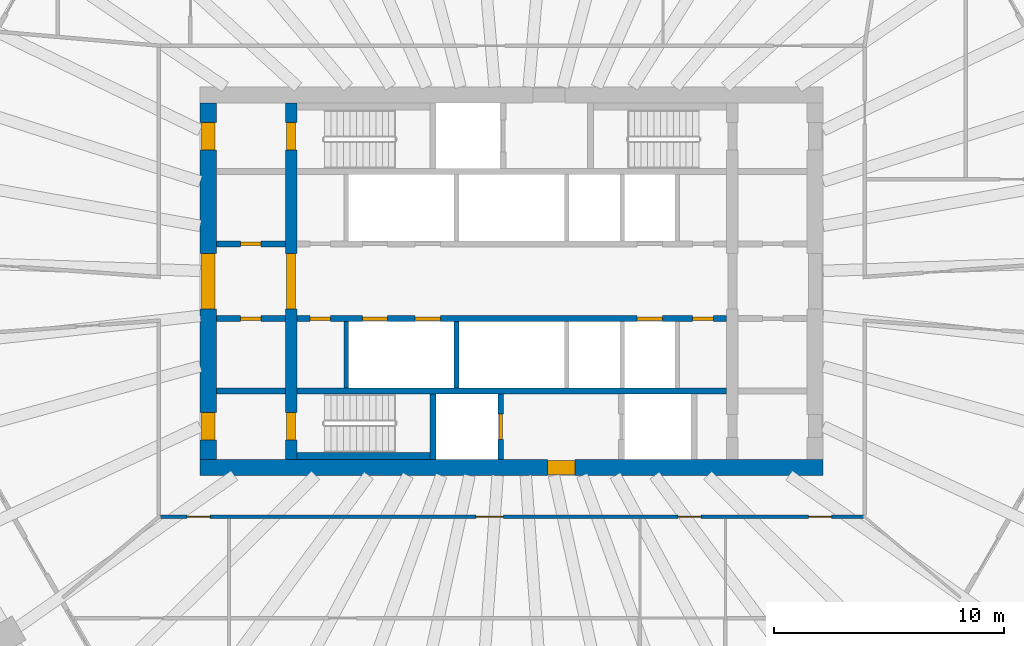
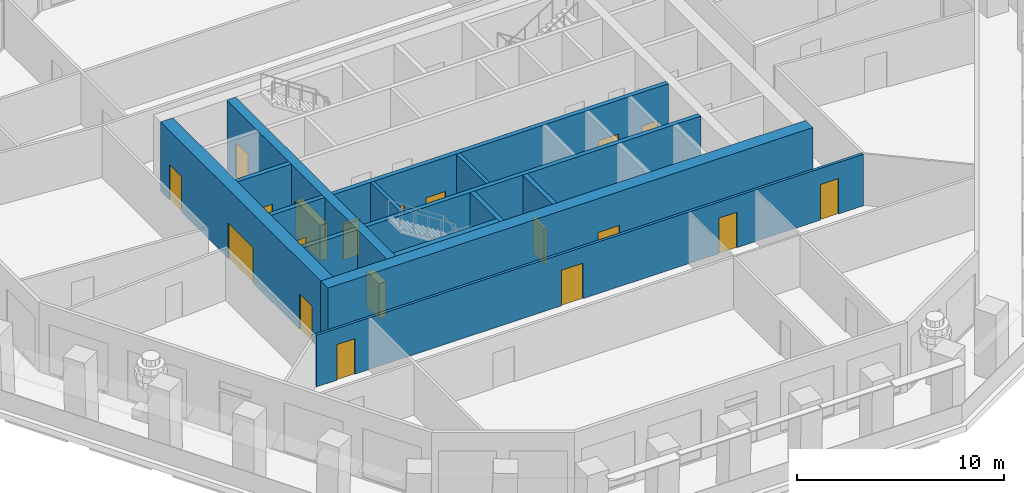
# One storey, part 4 of 12: 19 doors, 14 walls, 19 openings.
"""IFC4 building model written with IfcOpenShell, lengths in metres."""

from ifc_helpers import new_model, si_unit, direction, frame, frame_2d, origin, place, context, subcontext, project, spatial, rectangle, extrude, material, layer, layer_set, type_object, element, fill, save


model = new_model("IFC4")

# Units and contexts
model_context = context("Model", 3, precision=1e-05, world=origin(), true_north=direction((0.0, 1.0)))
body_context = subcontext(model_context, "Body", "Model", "MODEL_VIEW")
ifc_project = project(units=[si_unit("LENGTHUNIT", "METRE"), si_unit("AREAUNIT", "SQUARE_METRE"), si_unit("VOLUMEUNIT", "CUBIC_METRE"), si_unit("PLANEANGLEUNIT", "RADIAN"), si_unit("MASSUNIT", "GRAM", prefix="KILO")], contexts=[model_context])

# Site, building, storey
site_placement = place(None, origin())
site = spatial("IfcSite", under=ifc_project, at=site_placement, CompositionType="ELEMENT")
building_placement = place(site_placement, origin())
building = spatial("IfcBuilding", under=site, at=building_placement, Name="Frailejon Research Tower", CompositionType="ELEMENT")
storey_placement = place(building_placement, frame((0.0, 0.0, 176.0)))
storey = spatial("IfcBuildingStorey", under=building, at=storey_placement, Name="L38", CompositionType="ELEMENT", Elevation=176.0)

# Wall, openings, doors
ifc_material_1 = material(Name="Concrete C60/75", Category="concrete")
ifc_layer_1 = layer(ifc_material_1, 0.5)
ifc_layer_set_1 = layer_set([ifc_layer_1], Name="Core shear wall 500 C60/75")
wall_type_1 = type_object("IfcWallType", Name="Core shear wall 500 C60/75", PredefinedType="SHEAR", material=ifc_layer_set_1)
wall_1_placement = place(storey_placement, frame((-9.60009765625, -7.75, 0.0), z_axis=(0.0, 0.0, 1.0), x_axis=(0.0, 1.0, 0.0)))
wall_1 = element("IfcWall", 1, at=wall_1_placement, inside=storey, type_object=wall_type_1, Name="Core shear wall", PredefinedType="SHEAR", context=body_context, shape_type="SweptSolid", body=[
    extrude(rectangle(XDim=15.5, YDim=0.5, at=frame_2d((7.75, 0.0))), origin(), (0.0, 0.0, 1.0), 4.10009765625),
])
opening_1_placement = place(wall_1_placement, frame((6.550048828125, 0.0, 0.0)))
opening_1 = element("IfcOpeningElement", 2, at=opening_1_placement, cuts=wall_1, Name="Opening D2", PredefinedType="OPENING", context=body_context, shape_type="SweptSolid", body=[
    extrude(rectangle(XDim=2.39990234375, YDim=2.10009765625, at=frame_2d((1.199951171875, 1.050048828125))), frame((0.0, 0.260009765625, 0.0), z_axis=(0.0, -1.0, 0.0), x_axis=(1.0, 0.0, 0.0)), (0.0, 0.0, 1.0), 0.52001953125),
])
opening_2_placement = place(wall_1_placement, frame((13.449951171875, 0.0, 0.0)))
opening_2 = element("IfcOpeningElement", 3, at=opening_2_placement, cuts=wall_1, Name="Opening D1", PredefinedType="OPENING", context=body_context, shape_type="SweptSolid", body=[
    extrude(rectangle(XDim=1.199951171875, YDim=2.10009765625, at=frame_2d((0.60009765625, 1.050048828125))), frame((0.0, 0.260009765625, 0.0), z_axis=(0.0, -1.0, 0.0), x_axis=(1.0, 0.0, 0.0)), (0.0, 0.0, 1.0), 0.52001953125),
])
opening_3_placement = place(wall_1_placement, frame((0.85009765625, 0.0, 0.0)))
opening_3 = element("IfcOpeningElement", 4, at=opening_3_placement, cuts=wall_1, Name="Opening D1", PredefinedType="OPENING", context=body_context, shape_type="SweptSolid", body=[
    extrude(rectangle(XDim=1.199951171875, YDim=2.10009765625, at=frame_2d((0.60009765625, 1.050048828125))), frame((0.0, 0.260009765625, 0.0), z_axis=(0.0, -1.0, 0.0), x_axis=(1.0, 0.0, 0.0)), (0.0, 0.0, 1.0), 0.52001953125),
])
ifc_material_2 = material(Name="Steel", Category="steel")
door_type_1 = type_object("IfcDoorType", Name="Lobby double door", OperationType="DOUBLE_DOOR_SINGLE_SWING", PredefinedType="DOOR", material=ifc_material_2)
door_1_placement = place(opening_1_placement, origin())
door_1 = element("IfcDoor", 5, at=door_1_placement, inside=storey, type_object=door_type_1, Name="Lobby door", OperationType="DOUBLE_DOOR_SINGLE_SWING", OverallHeight=2.10009765625, OverallWidth=2.39990234375, PredefinedType="DOOR", context=body_context, shape_type="SweptSolid", body=[
    extrude(rectangle(XDim=2.39990234375, YDim=2.10009765625, at=frame_2d((1.199951171875, 1.050048828125))), frame((0.0, 0.199951171875, 0.0), z_axis=(0.0, -1.0, 0.0), x_axis=(1.0, 0.0, 0.0)), (0.0, 0.0, 1.0), 0.39990234375),
])
fill(opening_1, door_1)
ifc_material_3 = material(Name="Steel", Category="steel")
door_type_2 = type_object("IfcDoorType", Name="Stair door", OperationType="SINGLE_SWING_LEFT", PredefinedType="DOOR", material=ifc_material_3)
door_2_placement = place(opening_2_placement, origin())
door_2 = element("IfcDoor", 6, at=door_2_placement, inside=storey, type_object=door_type_2, Name="Stair door ST1", OperationType="SINGLE_SWING_LEFT", OverallHeight=2.10009765625, OverallWidth=1.199951171875, PredefinedType="DOOR", context=body_context, shape_type="SweptSolid", body=[
    extrude(rectangle(XDim=1.199951171875, YDim=2.10009765625, at=frame_2d((0.60009765625, 1.050048828125))), frame((0.0, 0.199951171875, 0.0), z_axis=(0.0, -1.0, 0.0), x_axis=(1.0, 0.0, 0.0)), (0.0, 0.0, 1.0), 0.39990234375),
])
fill(opening_2, door_2)
door_3_placement = place(opening_3_placement, origin())
door_3 = element("IfcDoor", 7, at=door_3_placement, inside=storey, type_object=door_type_2, Name="Stair door ST2", OperationType="SINGLE_SWING_LEFT", OverallHeight=2.10009765625, OverallWidth=1.199951171875, PredefinedType="DOOR", context=body_context, shape_type="SweptSolid", body=[
    extrude(rectangle(XDim=1.199951171875, YDim=2.10009765625, at=frame_2d((0.60009765625, 1.050048828125))), frame((0.0, 0.199951171875, 0.0), z_axis=(0.0, -1.0, 0.0), x_axis=(1.0, 0.0, 0.0)), (0.0, 0.0, 1.0), 0.39990234375),
])
fill(opening_3, door_3)

# Wall, opening, door
ifc_material_4 = material(Name="Concrete C60/75", Category="concrete")
ifc_layer_2 = layer(ifc_material_4, 0.699951171875)
ifc_layer_set_2 = layer_set([ifc_layer_2], Name="Core shear wall 700 C60/75")
wall_type_2 = type_object("IfcWallType", Name="Core shear wall 700 C60/75", PredefinedType="SHEAR", material=ifc_layer_set_2)
wall_2_placement = place(storey_placement, frame((-13.550048828125, -8.10009765625, 0.0), z_axis=(0.0, 0.0, 1.0), x_axis=(1.0, 0.0, 0.0)))
wall_2 = element("IfcWall", 8, at=wall_2_placement, inside=storey, type_object=wall_type_2, Name="Core shear wall", PredefinedType="SHEAR", context=body_context, shape_type="SweptSolid", body=[
    extrude(rectangle(XDim=27.10009765625, YDim=0.699951171875, at=frame_2d((13.550048828125, 0.0))), origin(), (0.0, 0.0, 1.0), 4.10009765625),
])
opening_4_placement = place(wall_2_placement, frame((15.10009765625, 0.0, 0.0)))
opening_4 = element("IfcOpeningElement", 9, at=opening_4_placement, cuts=wall_2, Name="Opening D3", PredefinedType="OPENING", context=body_context, shape_type="SweptSolid", body=[
    extrude(rectangle(XDim=1.199951171875, YDim=2.10009765625, at=frame_2d((0.60009765625, 1.050048828125))), frame((0.0, 0.35986328125, 0.0), z_axis=(0.0, -1.0, 0.0), x_axis=(1.0, 0.0, 0.0)), (0.0, 0.0, 1.0), 0.719970703125),
])
ifc_material_5 = material(Name="Steel", Category="steel")
door_type_3 = type_object("IfcDoorType", Name="Firefighting lobby door", OperationType="SINGLE_SWING_LEFT", PredefinedType="DOOR", material=ifc_material_5)
door_4_placement = place(opening_4_placement, origin())
door_4 = element("IfcDoor", 10, at=door_4_placement, inside=storey, type_object=door_type_3, Name="Firefighting lobby door", OperationType="SINGLE_SWING_LEFT", OverallHeight=2.10009765625, OverallWidth=1.199951171875, PredefinedType="DOOR", context=body_context, shape_type="SweptSolid", body=[
    extrude(rectangle(XDim=1.199951171875, YDim=2.10009765625, at=frame_2d((0.60009765625, 1.050048828125))), frame((0.0, 0.300048828125, 0.0), z_axis=(0.0, -1.0, 0.0), x_axis=(1.0, 0.0, 0.0)), (0.0, 0.0, 1.0), 0.60009765625),
])
fill(opening_4, door_4)

# Wall, openings, doors
wall_3_placement = place(storey_placement, frame((-13.199951171875, -7.75, 0.0), z_axis=(0.0, 0.0, 1.0), x_axis=(0.0, 1.0, 0.0)))
wall_3 = element("IfcWall", 11, at=wall_3_placement, inside=storey, type_object=wall_type_2, Name="Core shear wall", PredefinedType="SHEAR", context=body_context, shape_type="SweptSolid", body=[
    extrude(rectangle(XDim=15.5, YDim=0.699951171875, at=frame_2d((7.75, 0.0))), origin(), (0.0, 0.0, 1.0), 4.10009765625),
])
opening_5_placement = place(wall_3_placement, frame((6.550048828125, 0.0, 0.0)))
opening_5 = element("IfcOpeningElement", 12, at=opening_5_placement, cuts=wall_3, Name="Opening D2", PredefinedType="OPENING", context=body_context, shape_type="SweptSolid", body=[
    extrude(rectangle(XDim=2.39990234375, YDim=2.10009765625, at=frame_2d((1.199951171875, 1.050048828125))), frame((0.0, 0.35986328125, 0.0), z_axis=(0.0, -1.0, 0.0), x_axis=(1.0, 0.0, 0.0)), (0.0, 0.0, 1.0), 0.719970703125),
])
opening_6_placement = place(wall_3_placement, frame((13.449951171875, 0.0, 0.0)))
opening_6 = element("IfcOpeningElement", 13, at=opening_6_placement, cuts=wall_3, Name="Opening D7", PredefinedType="OPENING", context=body_context, shape_type="SweptSolid", body=[
    extrude(rectangle(XDim=1.199951171875, YDim=2.10009765625, at=frame_2d((0.60009765625, 1.050048828125))), frame((0.0, 0.35986328125, 0.0), z_axis=(0.0, -1.0, 0.0), x_axis=(1.0, 0.0, 0.0)), (0.0, 0.0, 1.0), 0.719970703125),
])
opening_7_placement = place(wall_3_placement, frame((0.85009765625, 0.0, 0.0)))
opening_7 = element("IfcOpeningElement", 14, at=opening_7_placement, cuts=wall_3, Name="Opening D7", PredefinedType="OPENING", context=body_context, shape_type="SweptSolid", body=[
    extrude(rectangle(XDim=1.199951171875, YDim=2.10009765625, at=frame_2d((0.60009765625, 1.050048828125))), frame((0.0, 0.35986328125, 0.0), z_axis=(0.0, -1.0, 0.0), x_axis=(1.0, 0.0, 0.0)), (0.0, 0.0, 1.0), 0.719970703125),
])
door_5_placement = place(opening_5_placement, origin())
door_5 = element("IfcDoor", 15, at=door_5_placement, inside=storey, type_object=door_type_1, Name="Lobby door", OperationType="DOUBLE_DOOR_SINGLE_SWING", OverallHeight=2.10009765625, OverallWidth=2.39990234375, PredefinedType="DOOR", context=body_context, shape_type="SweptSolid", body=[
    extrude(rectangle(XDim=2.39990234375, YDim=2.10009765625, at=frame_2d((1.199951171875, 1.050048828125))), frame((0.0, 0.300048828125, 0.0), z_axis=(0.0, -1.0, 0.0), x_axis=(1.0, 0.0, 0.0)), (0.0, 0.0, 1.0), 0.60009765625),
])
fill(opening_5, door_5)
ifc_material_6 = material(Name="Steel", Category="steel")
door_type_4 = type_object("IfcDoorType", Name="Stair exit door", OperationType="SINGLE_SWING_LEFT", PredefinedType="DOOR", material=ifc_material_6)
door_6_placement = place(opening_6_placement, origin())
door_6 = element("IfcDoor", 16, at=door_6_placement, inside=storey, type_object=door_type_4, Name="Stair exit door ST1", OperationType="SINGLE_SWING_RIGHT", OverallHeight=2.10009765625, OverallWidth=1.199951171875, PredefinedType="DOOR", context=body_context, shape_type="SweptSolid", body=[
    extrude(rectangle(XDim=1.199951171875, YDim=2.10009765625, at=frame_2d((0.60009765625, 1.050048828125))), frame((0.0, 0.300048828125, 0.0), z_axis=(0.0, -1.0, 0.0), x_axis=(1.0, 0.0, 0.0)), (0.0, 0.0, 1.0), 0.60009765625),
])
fill(opening_6, door_6)
door_7_placement = place(opening_7_placement, origin())
door_7 = element("IfcDoor", 17, at=door_7_placement, inside=storey, type_object=door_type_4, Name="Stair exit door ST2", OperationType="SINGLE_SWING_RIGHT", OverallHeight=2.10009765625, OverallWidth=1.199951171875, PredefinedType="DOOR", context=body_context, shape_type="SweptSolid", body=[
    extrude(rectangle(XDim=1.199951171875, YDim=2.10009765625, at=frame_2d((0.60009765625, 1.050048828125))), frame((0.0, 0.300048828125, 0.0), z_axis=(0.0, -1.0, 0.0), x_axis=(1.0, 0.0, 0.0)), (0.0, 0.0, 1.0), 0.60009765625),
])
fill(opening_7, door_7)

ifc_material_7 = material(Name="Gypsum board and masonry partition", Category="masonry")
ifc_layer_3 = layer(ifc_material_7, 0.14990234375)
ifc_layer_set_3 = layer_set([ifc_layer_3], Name="Corridor wall EI 60, gypsum on steel studs 150")
wall_type_3 = type_object("IfcWallType", Name="Corridor wall EI 60, gypsum on steel studs 150", PredefinedType="PARTITIONING", material=ifc_layer_set_3)
wall_4_placement = place(storey_placement, frame((-15.27490234375, -10.25, 0.0), z_axis=(0.0, 0.0, 1.0), x_axis=(1.0, 0.0, 0.0)))
wall_4 = element("IfcWall", 18, at=wall_4_placement, inside=storey, type_object=wall_type_3, Name="T:IW:L38:006", PredefinedType="PARTITIONING", context=body_context, shape_type="SweptSolid", body=[
    extrude(rectangle(XDim=30.574951171875, YDim=0.14990234375, at=frame_2d((15.28759765625, 0.0))), origin(), (0.0, 0.0, 1.0), 3.050048828125),
])
opening_8_placement = place(wall_4_placement, frame((1.154052734375, 0.0, 0.0)))
opening_8 = element("IfcOpeningElement", 19, at=opening_8_placement, cuts=wall_4, Name="Opening D1834", PredefinedType="OPENING", context=body_context, shape_type="SweptSolid", body=[
    extrude(rectangle(XDim=1.0, YDim=2.10009765625, at=frame_2d((0.5, 1.050048828125))), frame((0.0, 0.0849609375, 0.0), z_axis=(0.0, -1.0, 0.0), x_axis=(1.0, 0.0, 0.0)), (0.0, 0.0, 1.0), 0.169921875),
])
opening_9_placement = place(wall_4_placement, frame((13.7119140625, 0.0, 0.0)))
opening_9 = element("IfcOpeningElement", 20, at=opening_9_placement, cuts=wall_4, Name="Opening D1836", PredefinedType="OPENING", context=body_context, shape_type="SweptSolid", body=[
    extrude(rectangle(XDim=1.199951171875, YDim=2.10009765625, at=frame_2d((0.60009765625, 1.050048828125))), frame((0.0, 0.0849609375, 0.0), z_axis=(0.0, -1.0, 0.0), x_axis=(1.0, 0.0, 0.0)), (0.0, 0.0, 1.0), 0.169921875),
])
opening_10_placement = place(wall_4_placement, frame((22.515869140625, 0.0, 0.0)))
opening_10 = element("IfcOpeningElement", 21, at=opening_10_placement, cuts=wall_4, Name="Opening D1839", PredefinedType="OPENING", context=body_context, shape_type="SweptSolid", body=[
    extrude(rectangle(XDim=1.0, YDim=2.10009765625, at=frame_2d((0.5, 1.050048828125))), frame((0.0, 0.0849609375, 0.0), z_axis=(0.0, -1.0, 0.0), x_axis=(1.0, 0.0, 0.0)), (0.0, 0.0, 1.0), 0.169921875),
])
opening_11_placement = place(wall_4_placement, frame((28.18701171875, 0.0, 0.0)))
opening_11 = element("IfcOpeningElement", 22, at=opening_11_placement, cuts=wall_4, Name="Opening D1841", PredefinedType="OPENING", context=body_context, shape_type="SweptSolid", body=[
    extrude(rectangle(XDim=1.0, YDim=2.10009765625, at=frame_2d((0.5, 1.050048828125))), frame((0.0, 0.0849609375, 0.0), z_axis=(0.0, -1.0, 0.0), x_axis=(1.0, 0.0, 0.0)), (0.0, 0.0, 1.0), 0.169921875),
])
ifc_material_8 = material(Name="Timber door leaf", Category="wood")
door_type_5 = type_object("IfcDoorType", Name="Door laboratory, timber, vision panel 1000", OperationType="NOTDEFINED", PredefinedType="DOOR", material=ifc_material_8)
door_8_placement = place(opening_8_placement, origin())
door_8 = element("IfcDoor", 23, at=door_8_placement, inside=storey, type_object=door_type_5, Name="D1834", OperationType="SINGLE_SWING_LEFT", OverallHeight=2.10009765625, OverallWidth=1.0, PredefinedType="DOOR", context=body_context, shape_type="SweptSolid", body=[
    extrude(rectangle(XDim=1.0, YDim=2.10009765625, at=frame_2d((0.5, 1.050048828125))), frame((0.0, 0.02490234375, 0.0), z_axis=(0.0, -1.0, 0.0), x_axis=(1.0, 0.0, 0.0)), (0.0, 0.0, 1.0), 0.050048828125),
])
fill(opening_8, door_8)
ifc_material_9 = material(Name="Timber door leaf", Category="wood")
door_type_6 = type_object("IfcDoorType", Name="Door single leaf, timber, steel frame 1000", OperationType="NOTDEFINED", PredefinedType="DOOR", material=ifc_material_9)
door_9_placement = place(opening_10_placement, origin())
door_9 = element("IfcDoor", 24, at=door_9_placement, inside=storey, type_object=door_type_6, Name="D1839", OperationType="SINGLE_SWING_LEFT", OverallHeight=2.10009765625, OverallWidth=1.0, PredefinedType="DOOR", context=body_context, shape_type="SweptSolid", body=[
    extrude(rectangle(XDim=1.0, YDim=2.10009765625, at=frame_2d((0.5, 1.050048828125))), frame((0.0, 0.02490234375, 0.0), z_axis=(0.0, -1.0, 0.0), x_axis=(1.0, 0.0, 0.0)), (0.0, 0.0, 1.0), 0.050048828125),
])
fill(opening_10, door_9)
door_10_placement = place(opening_11_placement, origin())
door_10 = element("IfcDoor", 25, at=door_10_placement, inside=storey, type_object=door_type_6, Name="D1841", OperationType="SINGLE_SWING_RIGHT", OverallHeight=2.10009765625, OverallWidth=1.0, PredefinedType="DOOR", context=body_context, shape_type="SweptSolid", body=[
    extrude(rectangle(XDim=1.0, YDim=2.10009765625, at=frame_2d((0.5, 1.050048828125))), frame((0.0, 0.02490234375, 0.0), z_axis=(0.0, -1.0, 0.0), x_axis=(1.0, 0.0, 0.0)), (0.0, 0.0, 1.0), 0.050048828125),
])
fill(opening_11, door_10)
ifc_material_10 = material(Name="Timber door leaf", Category="wood")
door_type_7 = type_object("IfcDoorType", Name="Door single leaf, timber, steel frame 1200", OperationType="NOTDEFINED", PredefinedType="DOOR", material=ifc_material_10)
door_11_placement = place(opening_9_placement, origin())
door_11 = element("IfcDoor", 26, at=door_11_placement, inside=storey, type_object=door_type_7, Name="D1836", OperationType="DOUBLE_DOOR_SINGLE_SWING", OverallHeight=2.10009765625, OverallWidth=1.199951171875, PredefinedType="DOOR", context=body_context, shape_type="SweptSolid", body=[
    extrude(rectangle(XDim=1.199951171875, YDim=2.10009765625, at=frame_2d((0.60009765625, 1.050048828125))), frame((0.0, 0.02490234375, 0.0), z_axis=(0.0, -1.0, 0.0), x_axis=(1.0, 0.0, 0.0)), (0.0, 0.0, 1.0), 0.050048828125),
])
fill(opening_9, door_11)

# Walls
ifc_material_11 = material(Name="Concrete C60/75", Category="concrete")
ifc_layer_4 = layer(ifc_material_11, 0.199951171875)
ifc_layer_set_4 = layer_set([ifc_layer_4], Name="Shaft wall 200 C60/75")
wall_type_4 = type_object("IfcWallType", Name="Shaft wall 200 C60/75", PredefinedType="SOLIDWALL", material=ifc_layer_set_4)
for number, where, z_axis, x_axis, name in (
    (27, (-7.199951171875, -4.64990234375, 0.0), (0.0, 0.0, 1.0), (0.0, 1.0, 0.0), "Shaft wall"),
    (28, (-2.39990234375, -4.64990234375, 0.0), (0.0, 0.0, 1.0), (0.0, 1.0, 0.0), "Shaft wall"),
):
    element("IfcWall", number, at=place(storey_placement, frame(where, z_axis=z_axis, x_axis=x_axis)), inside=storey, type_object=wall_type_4, Name=name, PredefinedType="SOLIDWALL", context=body_context, shape_type="SweptSolid", body=[
        extrude(rectangle(XDim=2.89990234375, YDim=0.199951171875, at=frame_2d((1.449951171875, 0.0))), origin(), (0.0, 0.0, 1.0), 4.10009765625),
    ])

# Wall, opening, door
ifc_material_12 = material(Name="Concrete C60/75", Category="concrete")
ifc_layer_5 = layer(ifc_material_12, 0.25)
ifc_layer_set_5 = layer_set([ifc_layer_5], Name="Shaft wall 250 C60/75")
wall_type_5 = type_object("IfcWallType", Name="Shaft wall 250 C60/75", PredefinedType="SOLIDWALL", material=ifc_layer_set_5)
wall_5_placement = place(storey_placement, frame((-12.85009765625, 1.625, 0.0), z_axis=(0.0, 0.0, 1.0), x_axis=(1.0, 0.0, 0.0)))
wall_5 = element("IfcWall", 29, at=wall_5_placement, inside=storey, type_object=wall_type_5, Name="Shaft wall", PredefinedType="SOLIDWALL", context=body_context, shape_type="SweptSolid", body=[
    extrude(rectangle(XDim=3.0, YDim=0.25, at=frame_2d((1.5, 0.0))), origin(), (0.0, 0.0, 1.0), 4.10009765625),
])
opening_12_placement = place(wall_5_placement, frame((1.050048828125, 0.0, 0.0)))
opening_12 = element("IfcOpeningElement", 30, at=opening_12_placement, cuts=wall_5, Name="Opening D8", PredefinedType="OPENING", context=body_context, shape_type="SweptSolid", body=[
    extrude(rectangle(XDim=0.89990234375, YDim=2.10009765625, at=frame_2d((0.449951171875, 1.050048828125))), frame((0.0, 0.135009765625, 0.0), z_axis=(0.0, -1.0, 0.0), x_axis=(1.0, 0.0, 0.0)), (0.0, 0.0, 1.0), 0.27001953125),
])
ifc_material_13 = material(Name="Steel", Category="steel")
door_type_8 = type_object("IfcDoorType", Name="Core room door", OperationType="SINGLE_SWING_LEFT", PredefinedType="DOOR", material=ifc_material_13)
door_12_placement = place(opening_12_placement, origin())
door_12 = element("IfcDoor", 31, at=door_12_placement, inside=storey, type_object=door_type_8, Name="Room door", OperationType="SINGLE_SWING_LEFT", OverallHeight=2.10009765625, OverallWidth=0.89990234375, PredefinedType="DOOR", context=body_context, shape_type="SweptSolid", body=[
    extrude(rectangle(XDim=0.89990234375, YDim=2.10009765625, at=frame_2d((0.449951171875, 1.050048828125))), frame((0.0, 0.074951171875, 0.0), z_axis=(0.0, -1.0, 0.0), x_axis=(1.0, 0.0, 0.0)), (0.0, 0.0, 1.0), 0.14990234375),
])
fill(opening_12, door_12)

wall_6_placement = place(storey_placement, frame((-12.85009765625, -1.625, 0.0), z_axis=(0.0, 0.0, 1.0), x_axis=(1.0, 0.0, 0.0)))
wall_6 = element("IfcWall", 32, at=wall_6_placement, inside=storey, type_object=wall_type_5, Name="Shaft wall", PredefinedType="SOLIDWALL", context=body_context, shape_type="SweptSolid", body=[
    extrude(rectangle(XDim=3.0, YDim=0.25, at=frame_2d((1.5, 0.0))), origin(), (0.0, 0.0, 1.0), 4.10009765625),
])
opening_13_placement = place(wall_6_placement, frame((1.050048828125, 0.0, 0.0)))
opening_13 = element("IfcOpeningElement", 33, at=opening_13_placement, cuts=wall_6, Name="Opening D8", PredefinedType="OPENING", context=body_context, shape_type="SweptSolid", body=[
    extrude(rectangle(XDim=0.89990234375, YDim=2.10009765625, at=frame_2d((0.449951171875, 1.050048828125))), frame((0.0, 0.135009765625, 0.0), z_axis=(0.0, -1.0, 0.0), x_axis=(1.0, 0.0, 0.0)), (0.0, 0.0, 1.0), 0.27001953125),
])
door_13_placement = place(opening_13_placement, origin())
door_13 = element("IfcDoor", 34, at=door_13_placement, inside=storey, type_object=door_type_8, Name="Room door", OperationType="SINGLE_SWING_LEFT", OverallHeight=2.10009765625, OverallWidth=0.89990234375, PredefinedType="DOOR", context=body_context, shape_type="SweptSolid", body=[
    extrude(rectangle(XDim=0.89990234375, YDim=2.10009765625, at=frame_2d((0.449951171875, 1.050048828125))), frame((0.0, 0.074951171875, 0.0), z_axis=(0.0, -1.0, 0.0), x_axis=(1.0, 0.0, 0.0)), (0.0, 0.0, 1.0), 0.14990234375),
])
fill(opening_13, door_13)

# Wall, openings, doors
wall_7_placement = place(storey_placement, frame((-9.35009765625, -1.625, 0.0), z_axis=(0.0, 0.0, 1.0), x_axis=(1.0, 0.0, 0.0)))
wall_7 = element("IfcWall", 35, at=wall_7_placement, inside=storey, type_object=wall_type_5, Name="Shaft wall", PredefinedType="SOLIDWALL", context=body_context, shape_type="SweptSolid", body=[
    extrude(rectangle(XDim=18.7001953125, YDim=0.25, at=frame_2d((9.35009765625, 0.0))), origin(), (0.0, 0.0, 1.0), 4.10009765625),
])
opening_14_placement = place(wall_7_placement, frame((2.85009765625, 0.0, 0.0)))
opening_14 = element("IfcOpeningElement", 36, at=opening_14_placement, cuts=wall_7, Name="Opening LD", PredefinedType="OPENING", context=body_context, shape_type="SweptSolid", body=[
    extrude(rectangle(XDim=1.10009765625, YDim=2.10009765625, at=frame_2d((0.550048828125, 1.050048828125))), frame((0.0, 0.135009765625, 0.0), z_axis=(0.0, -1.0, 0.0), x_axis=(1.0, 0.0, 0.0)), (0.0, 0.0, 1.0), 0.27001953125),
])
opening_15_placement = place(wall_7_placement, frame((5.14990234375, 0.0, 0.0)))
opening_15 = element("IfcOpeningElement", 37, at=opening_15_placement, cuts=wall_7, Name="Opening LD", PredefinedType="OPENING", context=body_context, shape_type="SweptSolid", body=[
    extrude(rectangle(XDim=1.10009765625, YDim=2.10009765625, at=frame_2d((0.550048828125, 1.050048828125))), frame((0.0, 0.135009765625, 0.0), z_axis=(0.0, -1.0, 0.0), x_axis=(1.0, 0.0, 0.0)), (0.0, 0.0, 1.0), 0.27001953125),
])
opening_16_placement = place(wall_7_placement, frame((14.800048828125, 0.0, 0.0)))
opening_16 = element("IfcOpeningElement", 38, at=opening_16_placement, cuts=wall_7, Name="Opening LD", PredefinedType="OPENING", context=body_context, shape_type="SweptSolid", body=[
    extrude(rectangle(XDim=1.10009765625, YDim=2.10009765625, at=frame_2d((0.550048828125, 1.050048828125))), frame((0.0, 0.135009765625, 0.0), z_axis=(0.0, -1.0, 0.0), x_axis=(1.0, 0.0, 0.0)), (0.0, 0.0, 1.0), 0.27001953125),
])
opening_17_placement = place(wall_7_placement, frame((0.574951171875, 0.0, 0.0)))
opening_17 = element("IfcOpeningElement", 39, at=opening_17_placement, cuts=wall_7, Name="Opening D8", PredefinedType="OPENING", context=body_context, shape_type="SweptSolid", body=[
    extrude(rectangle(XDim=0.89990234375, YDim=2.10009765625, at=frame_2d((0.449951171875, 1.050048828125))), frame((0.0, 0.135009765625, 0.0), z_axis=(0.0, -1.0, 0.0), x_axis=(1.0, 0.0, 0.0)), (0.0, 0.0, 1.0), 0.27001953125),
])
opening_18_placement = place(wall_7_placement, frame((17.22509765625, 0.0, 0.0)))
opening_18 = element("IfcOpeningElement", 40, at=opening_18_placement, cuts=wall_7, Name="Opening D8", PredefinedType="OPENING", context=body_context, shape_type="SweptSolid", body=[
    extrude(rectangle(XDim=0.89990234375, YDim=2.10009765625, at=frame_2d((0.449951171875, 1.050048828125))), frame((0.0, 0.135009765625, 0.0), z_axis=(0.0, -1.0, 0.0), x_axis=(1.0, 0.0, 0.0)), (0.0, 0.0, 1.0), 0.27001953125),
])
door_14_placement = place(opening_17_placement, origin())
door_14 = element("IfcDoor", 41, at=door_14_placement, inside=storey, type_object=door_type_8, Name="Room door", OperationType="SINGLE_SWING_RIGHT", OverallHeight=2.10009765625, OverallWidth=0.89990234375, PredefinedType="DOOR", context=body_context, shape_type="SweptSolid", body=[
    extrude(rectangle(XDim=0.89990234375, YDim=2.10009765625, at=frame_2d((0.449951171875, 1.050048828125))), frame((0.0, 0.074951171875, 0.0), z_axis=(0.0, -1.0, 0.0), x_axis=(1.0, 0.0, 0.0)), (0.0, 0.0, 1.0), 0.14990234375),
])
fill(opening_17, door_14)
door_15_placement = place(opening_18_placement, origin())
door_15 = element("IfcDoor", 42, at=door_15_placement, inside=storey, type_object=door_type_8, Name="Room door", OperationType="SINGLE_SWING_LEFT", OverallHeight=2.10009765625, OverallWidth=0.89990234375, PredefinedType="DOOR", context=body_context, shape_type="SweptSolid", body=[
    extrude(rectangle(XDim=0.89990234375, YDim=2.10009765625, at=frame_2d((0.449951171875, 1.050048828125))), frame((0.0, 0.074951171875, 0.0), z_axis=(0.0, -1.0, 0.0), x_axis=(1.0, 0.0, 0.0)), (0.0, 0.0, 1.0), 0.14990234375),
])
fill(opening_18, door_15)
ifc_material_14 = material(Name="Steel", Category="steel")
door_type_9 = type_object("IfcDoorType", Name="Lift landing door", OperationType="DOUBLE_DOOR_SLIDING", PredefinedType="DOOR", material=ifc_material_14)
door_16_placement = place(opening_14_placement, origin())
door_16 = element("IfcDoor", 43, at=door_16_placement, inside=storey, type_object=door_type_9, Name="Lift landing door", OperationType="DOUBLE_DOOR_SLIDING", OverallHeight=2.10009765625, OverallWidth=1.10009765625, PredefinedType="DOOR", context=body_context, shape_type="SweptSolid", body=[
    extrude(rectangle(XDim=1.10009765625, YDim=2.10009765625, at=frame_2d((0.550048828125, 1.050048828125))), frame((0.0, 0.074951171875, 0.0), z_axis=(0.0, -1.0, 0.0), x_axis=(1.0, 0.0, 0.0)), (0.0, 0.0, 1.0), 0.14990234375),
])
fill(opening_14, door_16)
door_17_placement = place(opening_15_placement, origin())
door_17 = element("IfcDoor", 44, at=door_17_placement, inside=storey, type_object=door_type_9, Name="Lift landing door", OperationType="DOUBLE_DOOR_SLIDING", OverallHeight=2.10009765625, OverallWidth=1.10009765625, PredefinedType="DOOR", context=body_context, shape_type="SweptSolid", body=[
    extrude(rectangle(XDim=1.10009765625, YDim=2.10009765625, at=frame_2d((0.550048828125, 1.050048828125))), frame((0.0, 0.074951171875, 0.0), z_axis=(0.0, -1.0, 0.0), x_axis=(1.0, 0.0, 0.0)), (0.0, 0.0, 1.0), 0.14990234375),
])
fill(opening_15, door_17)
door_18_placement = place(opening_16_placement, origin())
door_18 = element("IfcDoor", 45, at=door_18_placement, inside=storey, type_object=door_type_9, Name="Lift landing door", OperationType="DOUBLE_DOOR_SLIDING", OverallHeight=2.10009765625, OverallWidth=1.10009765625, PredefinedType="DOOR", context=body_context, shape_type="SweptSolid", body=[
    extrude(rectangle(XDim=1.10009765625, YDim=2.10009765625, at=frame_2d((0.550048828125, 1.050048828125))), frame((0.0, 0.074951171875, 0.0), z_axis=(0.0, -1.0, 0.0), x_axis=(1.0, 0.0, 0.0)), (0.0, 0.0, 1.0), 0.14990234375),
])
fill(opening_16, door_18)

# Walls
wall_8_placement = place(storey_placement, frame((-12.85009765625, -4.77490234375, 0.0), z_axis=(0.0, 0.0, 1.0), x_axis=(1.0, 0.0, 0.0)))
element("IfcWall", 46, at=wall_8_placement, inside=storey, type_object=wall_type_5, Name="Shaft wall", PredefinedType="SOLIDWALL", context=body_context, shape_type="SweptSolid", body=[
    extrude(rectangle(XDim=3.0, YDim=0.25, at=frame_2d((1.5, 0.0))), origin(), (0.0, 0.0, 1.0), 4.10009765625),
])
wall_9_placement = place(storey_placement, frame((-9.35009765625, -4.77490234375, 0.0), z_axis=(0.0, 0.0, 1.0), x_axis=(1.0, 0.0, 0.0)))
element("IfcWall", 47, at=wall_9_placement, inside=storey, type_object=wall_type_5, Name="Shaft wall", PredefinedType="SOLIDWALL", context=body_context, shape_type="SweptSolid", body=[
    extrude(rectangle(XDim=18.7001953125, YDim=0.25, at=frame_2d((9.35009765625, 0.0))), origin(), (0.0, 0.0, 1.0), 4.10009765625),
])
wall_10_placement = place(storey_placement, frame((-3.425048828125, -7.75, 0.0), z_axis=(0.0, 0.0, 1.0), x_axis=(0.0, 1.0, 0.0)))
element("IfcWall", 48, at=wall_10_placement, inside=storey, type_object=wall_type_5, Name="Shaft wall", PredefinedType="SOLIDWALL", context=body_context, shape_type="SweptSolid", body=[
    extrude(rectangle(XDim=2.85009765625, YDim=0.25, at=frame_2d((1.425048828125, 0.0))), origin(), (0.0, 0.0, 1.0), 4.10009765625),
])

# Wall, opening, door
wall_11_placement = place(storey_placement, frame((-0.47509765625, -7.75, 0.0), z_axis=(0.0, 0.0, 1.0), x_axis=(0.0, 1.0, 0.0)))
wall_11 = element("IfcWall", 49, at=wall_11_placement, inside=storey, type_object=wall_type_5, Name="Shaft wall", PredefinedType="SOLIDWALL", context=body_context, shape_type="SweptSolid", body=[
    extrude(rectangle(XDim=2.85009765625, YDim=0.25, at=frame_2d((1.425048828125, 0.0))), origin(), (0.0, 0.0, 1.0), 4.10009765625),
])
opening_19_placement = place(wall_11_placement, frame((0.875, 0.0, 0.0)))
opening_19 = element("IfcOpeningElement", 50, at=opening_19_placement, cuts=wall_11, Name="Opening LD", PredefinedType="OPENING", context=body_context, shape_type="SweptSolid", body=[
    extrude(rectangle(XDim=1.10009765625, YDim=2.10009765625, at=frame_2d((0.550048828125, 1.050048828125))), frame((0.0, 0.135009765625, 0.0), z_axis=(0.0, -1.0, 0.0), x_axis=(1.0, 0.0, 0.0)), (0.0, 0.0, 1.0), 0.27001953125),
])
door_19_placement = place(opening_19_placement, origin())
door_19 = element("IfcDoor", 51, at=door_19_placement, inside=storey, type_object=door_type_9, Name="Lift landing door", OperationType="DOUBLE_DOOR_SLIDING", OverallHeight=2.10009765625, OverallWidth=1.10009765625, PredefinedType="DOOR", context=body_context, shape_type="SweptSolid", body=[
    extrude(rectangle(XDim=1.10009765625, YDim=2.10009765625, at=frame_2d((0.550048828125, 1.050048828125))), frame((0.0, 0.074951171875, 0.0), z_axis=(0.0, -1.0, 0.0), x_axis=(1.0, 0.0, 0.0)), (0.0, 0.0, 1.0), 0.14990234375),
])
fill(opening_19, door_19)

# Wall
ifc_material_15 = material(Name="Concrete C60/75", Category="concrete")
ifc_layer_6 = layer(ifc_material_15, 0.300048828125)
ifc_layer_set_6 = layer_set([ifc_layer_6], Name="Shaft wall 300 C60/75")
wall_type_6 = type_object("IfcWallType", Name="Shaft wall 300 C60/75", PredefinedType="SOLIDWALL", material=ifc_layer_set_6)
wall_12_placement = place(storey_placement, frame((-9.35009765625, -7.60009765625, 0.0), z_axis=(0.0, 0.0, 1.0), x_axis=(1.0, 0.0, 0.0)))
element("IfcWall", 52, at=wall_12_placement, inside=storey, type_object=wall_type_6, Name="Shaft wall", PredefinedType="SOLIDWALL", context=body_context, shape_type="SweptSolid", body=[
    extrude(rectangle(XDim=5.800048828125, YDim=0.300048828125, at=frame_2d((2.89990234375, 0.0))), origin(), (0.0, 0.0, 1.0), 4.10009765625),
])

save(model, "model.ifc")
